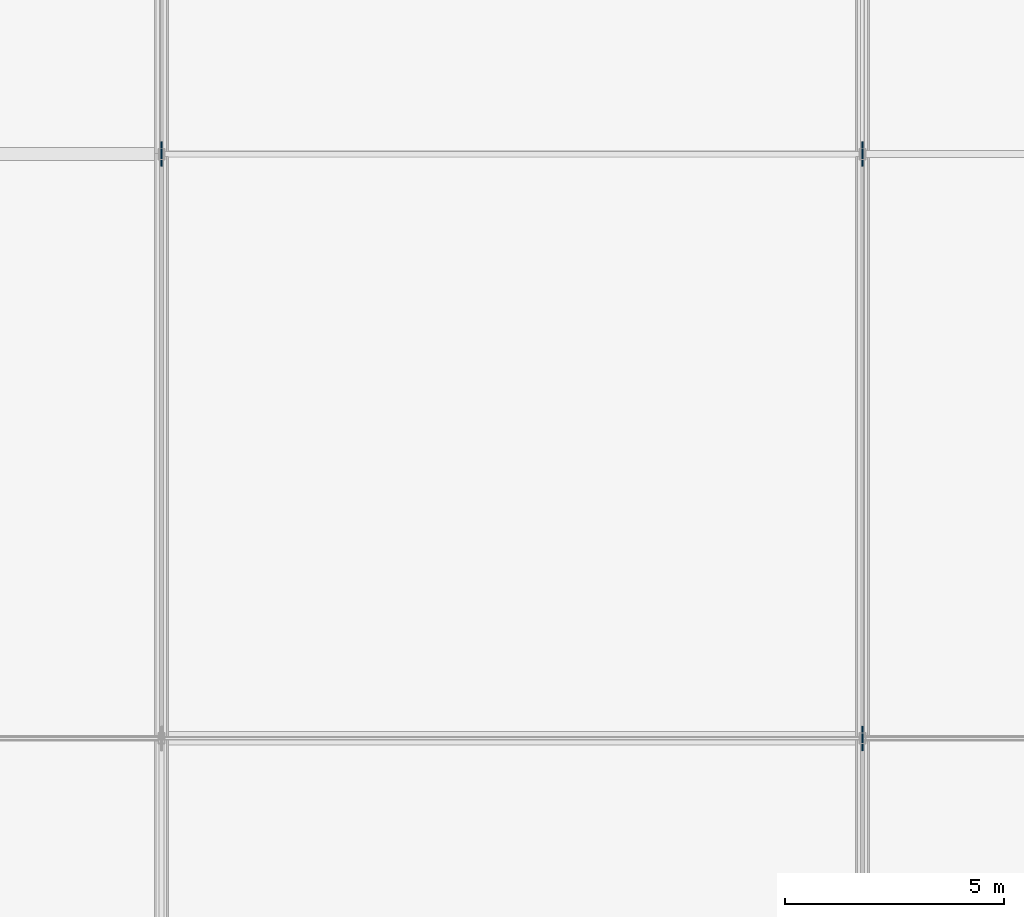
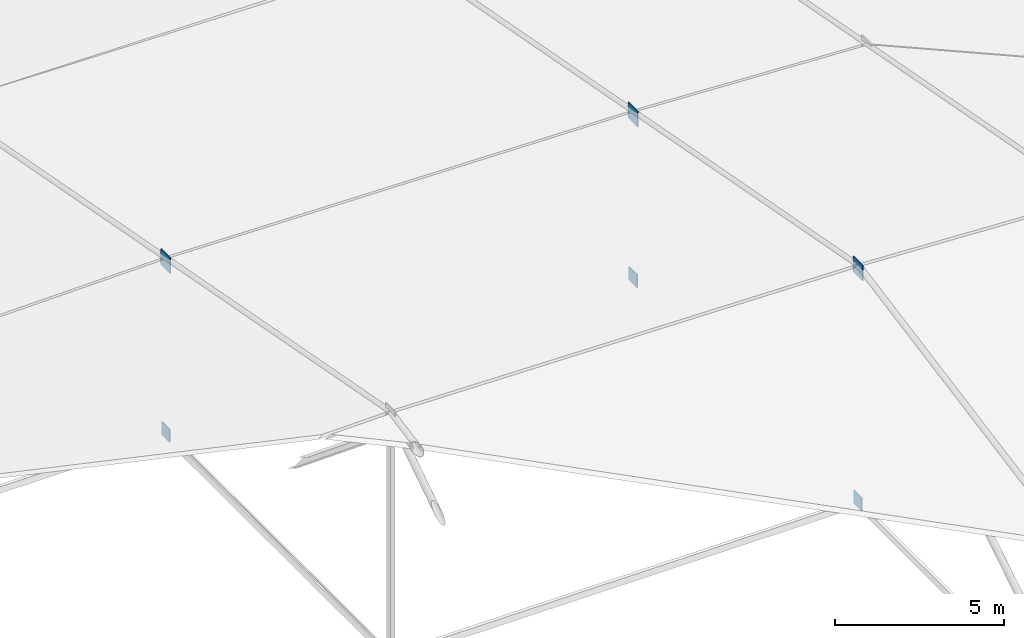
# One storey, part 25 of 30: 6 plates.
"""IFC4 building model written with IfcOpenShell, lengths in metres."""

from ifc_helpers import new_model, si_unit, direction, frame, origin, origin_2d, place, context, subcontext, project, spatial, rectangle, extrude, material, layer, layer_set, type_object, element, save


model = new_model("IFC4")

# Units and contexts
model_context = context("Model", 3, precision=1e-05, world=origin(), true_north=direction((0.0, 1.0)))
body_context = subcontext(model_context, "Body", "Model", "MODEL_VIEW")
ifc_project = project(units=[si_unit("LENGTHUNIT", "METRE"), si_unit("AREAUNIT", "SQUARE_METRE"), si_unit("VOLUMEUNIT", "CUBIC_METRE"), si_unit("PLANEANGLEUNIT", "RADIAN"), si_unit("MASSUNIT", "GRAM", prefix="KILO")], contexts=[model_context])

# Site, building, storey
site_placement = place(None, origin())
site = spatial("IfcSite", under=ifc_project, at=site_placement, CompositionType="ELEMENT")
building_placement = place(site_placement, origin())
building = spatial("IfcBuilding", under=site, at=building_placement, Name="Tazarka Park Arena", CompositionType="ELEMENT")
storey_placement = place(building_placement, frame((0.0, 0.0, 29.39990234375)))
storey = spatial("IfcBuildingStorey", under=building, at=storey_placement, Name="Roof", CompositionType="ELEMENT", Elevation=29.39990234375)

# Plates
ifc_material_1 = material(Name="Steel S460", Category="steel")
ifc_layer_1 = layer(ifc_material_1, 0.0439453125, Name="Steel S460")
ifc_layer_set_1 = layer_set([ifc_layer_1], Name="Steel S460")
plate_type_1 = type_object("IfcPlateType", Name="PLT-PL-07", PredefinedType="SHEET", material=ifc_layer_set_1)
for number, where, z_axis, x_axis, name in (
    (1, (88.0, 77.333251953125, 5.855712890625), (0.0, 0.0, 1.0), (1.0, 0.0, 0.0), "ANP-04-4"),
    (2, (104.0, 64.0, 8.07177734375), (0.0, 0.0, 1.0), (1.0, 0.0, 0.0), "ANP-05-3"),
    (3, (104.0, 77.333251953125, 5.5576171875), (0.0, 0.0, 1.0), (1.0, 0.0, 0.0), "ANP-05-4"),
):
    element("IfcPlate", number, at=place(storey_placement, frame(where, z_axis=z_axis, x_axis=x_axis)), inside=storey, type_object=plate_type_1, Name=name, PredefinedType="SHEET", context=body_context, shape_type="SweptSolid", body=[
        extrude(rectangle(XDim=0.0400390625, YDim=0.56005859375, at=origin_2d()), origin(), (0.0, 0.0, 1.0), 0.56005859375),
    ])
ifc_material_2 = material(Name="Steel S460", Category="steel")
ifc_layer_2 = layer(ifc_material_2, 0.035888671875, Name="Steel S460")
ifc_layer_set_2 = layer_set([ifc_layer_2], Name="Steel S460")
plate_type_2 = type_object("IfcPlateType", Name="PLT-PL-15", PredefinedType="USERDEFINED", material=ifc_layer_set_2)
for number, where, z_axis, x_axis, name in (
    (4, (88.0, 77.333251953125, -0.289794921875), (0.0, 0.0, 1.0), (1.0, 0.0, 0.0), "ANB-04-4"),
    (5, (104.0, 64.0, -0.289794921875), (0.0, 0.0, 1.0), (1.0, 0.0, 0.0), "ANB-05-3"),
    (6, (104.0, 77.333251953125, -0.289794921875), (0.0, 0.0, 1.0), (1.0, 0.0, 0.0), "ANB-05-4"),
):
    element("IfcPlate", number, at=place(storey_placement, frame(where, z_axis=z_axis, x_axis=x_axis)), inside=storey, type_object=plate_type_2, Name=name, ObjectType="STIFFENER", PredefinedType="USERDEFINED", context=body_context, shape_type="SweptSolid", body=[
        extrude(rectangle(XDim=0.035888671875, YDim=0.47998046875, at=origin_2d()), origin(), (0.0, 0.0, 1.0), 0.47998046875),
    ])

save(model, "model.ifc")
